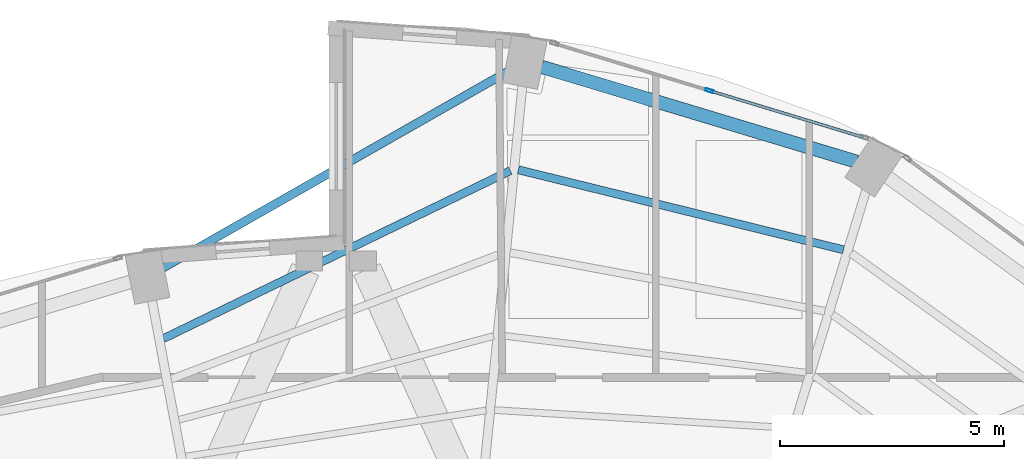
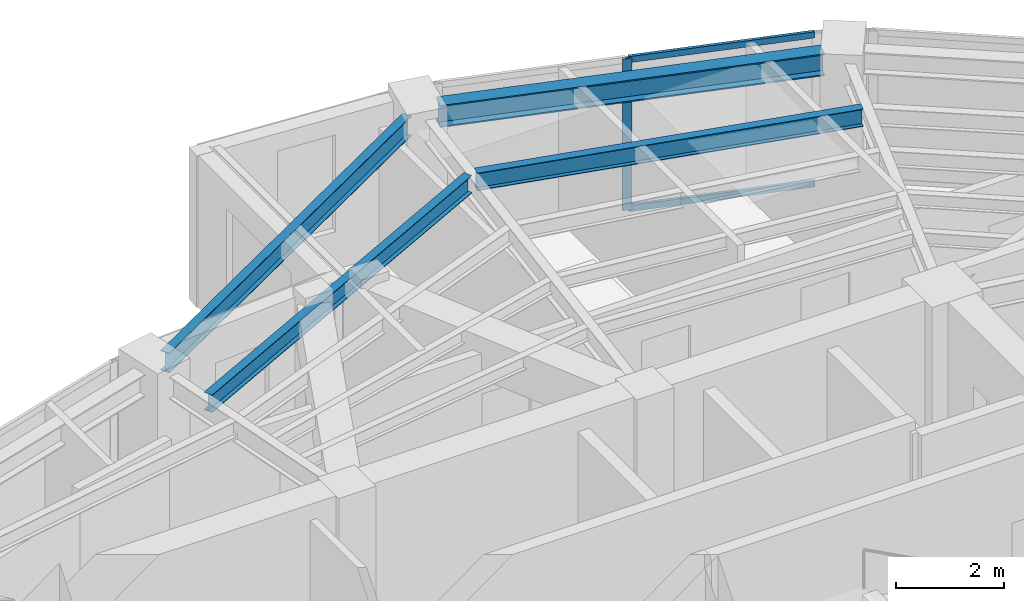
# One storey, part 15 of 22: 4 beams, 3 members, 1 element without a shape of its own.
"""IFC4 building model written with IfcOpenShell, lengths in metres."""

from ifc_helpers import new_model, si_unit, direction, frame, origin, origin_2d, place, context, subcontext, project, spatial, hollow_rectangle, i_section, extrude, material, layer, layer_set, material_profile, profile_set, type_object, element, aggregate, save


model = new_model("IFC4")

# Units and contexts
model_context = context("Model", 3, precision=1e-05, world=origin(), true_north=direction((0.0, 1.0)))
body_context = subcontext(model_context, "Body", "Model", "MODEL_VIEW")
ifc_project = project(units=[si_unit("LENGTHUNIT", "METRE"), si_unit("AREAUNIT", "SQUARE_METRE"), si_unit("VOLUMEUNIT", "CUBIC_METRE"), si_unit("PLANEANGLEUNIT", "RADIAN"), si_unit("MASSUNIT", "GRAM", prefix="KILO")], contexts=[model_context])

# Site, building, storey
site_placement = place(None, origin())
site = spatial("IfcSite", under=ifc_project, at=site_placement, CompositionType="ELEMENT")
building_placement = place(site_placement, origin())
building = spatial("IfcBuilding", under=site, at=building_placement, Name="Lazwardi Medical Tower", CompositionType="ELEMENT")
storey_placement = place(building_placement, frame((0.0, 0.0, 224.01611328125)))
storey = spatial("IfcBuildingStorey", under=building, at=storey_placement, Name="L58", CompositionType="ELEMENT", Elevation=224.01611328125)

# Beams
ifc_material_1 = material(Name="Steel S355", Category="steel")
ifc_material_profile_1 = material_profile(ifc_material_1, i_section(OverallWidth=0.300048828125, OverallDepth=0.5, WebThickness=0.014404296875, FlangeThickness=0.028076171875, at=origin_2d()), Name="HEB 500")
ifc_profile_set_1 = profile_set([ifc_material_profile_1], Name="Steel S355")
beam_type_1 = type_object("IfcBeamType", Name="BM-RB-Z4", PredefinedType="BEAM", material=ifc_profile_set_1)
beam_1_placement = place(storey_placement, frame((47.626953125, 43.56640625, 3.197998046875), z_axis=(-0.957544311906, 0.288286126506, 0.0), x_axis=(-0.288286126506, -0.957544311906, 0.0)))
element("IfcBeam", 1, at=beam_1_placement, inside=storey, type_object=beam_type_1, Name="Ring beam RB-05 B07 L58", PredefinedType="BEAM", context=body_context, shape_type="SweptSolid", body=[
    extrude(i_section(OverallWidth=0.300048828125, OverallDepth=0.5, WebThickness=0.014404296875, FlangeThickness=0.028076171875, at=origin_2d()), origin(), (0.0, 0.0, 1.0), 7.3515625),
])
ifc_material_profile_2 = material_profile(ifc_material_1, i_section(OverallWidth=0.179931640625, OverallDepth=0.39990234375, WebThickness=0.008544921875, FlangeThickness=0.013427734375, at=origin_2d()), Name="IPE 400")
ifc_profile_set_2 = profile_set([ifc_material_profile_2], Name="Steel S355")
beam_type_2 = type_object("IfcBeamType", Name="BM-SJ-01", PredefinedType="JOIST", material=ifc_profile_set_2)
beam_2_placement = place(storey_placement, frame((47.334228515625, 41.59912109375, 3.247802734375), z_axis=(-0.971041669317, 0.238910184904, 0.0), x_axis=(-0.238910184904, -0.971041669317, 0.0)))
element("IfcBeam", 2, at=beam_2_placement, inside=storey, type_object=beam_type_2, Name="Secondary joist SJ-01 R1 B07 L58", PredefinedType="JOIST", context=body_context, shape_type="SweptSolid", body=[
    extrude(i_section(OverallWidth=0.179931640625, OverallDepth=0.39990234375, WebThickness=0.008544921875, FlangeThickness=0.013427734375, at=origin_2d()), origin(), (0.0, 0.0, 1.0), 7.482421875),
])
beam_3_placement = place(storey_placement, frame((39.89111328125, 43.367919921875, 3.247802734375), z_axis=(-0.900068885459, -0.435747635024, 0.0), x_axis=(0.435747635024, -0.900068885459, 0.0)))
element("IfcBeam", 3, at=beam_3_placement, inside=storey, type_object=beam_type_2, Name="Secondary joist SJ-01 R1 B08 L58", PredefinedType="JOIST", context=body_context, shape_type="SweptSolid", body=[
    extrude(i_section(OverallWidth=0.179931640625, OverallDepth=0.39990234375, WebThickness=0.008544921875, FlangeThickness=0.013427734375, at=origin_2d()), origin(), (0.0, 0.0, 1.0), 8.612548828125),
])
ifc_material_profile_3 = material_profile(ifc_material_1, i_section(OverallWidth=0.18994140625, OverallDepth=0.449951171875, WebThickness=0.009521484375, FlangeThickness=0.0146484375, at=origin_2d()), Name="IPE 450")
ifc_profile_set_3 = profile_set([ifc_material_profile_3], Name="Steel S355")
beam_type_3 = type_object("IfcBeamType", Name="BM-SP-01", PredefinedType="SPANDREL", material=ifc_profile_set_3)
beam_4_placement = place(storey_placement, frame((39.875, 45.605224609375, 3.222900390625), z_axis=(-0.868954808466, -0.494891443494, 0.0), x_axis=(0.494891443494, -0.868954808466, 0.0)))
element("IfcBeam", 4, at=beam_4_placement, inside=storey, type_object=beam_type_3, Name="Spandrel beam SP-01 B08 L58", PredefinedType="SPANDREL", context=body_context, shape_type="SweptSolid", body=[
    extrude(i_section(OverallWidth=0.18994140625, OverallDepth=0.449951171875, WebThickness=0.009521484375, FlangeThickness=0.0146484375, at=origin_2d()), origin(), (0.0, 0.0, 1.0), 8.918701171875),
])

# Curtain wall, members
ifc_material_2 = material(Name="Anodised bronze aluminium and solar control glazing", Category="aluminium")
ifc_layer = layer(ifc_material_2, 0.18994140625)
ifc_layer_set = layer_set([ifc_layer], Name="Anodised bronze aluminium and solar control glazing")
curtain_wall_type = type_object("IfcCurtainWallType", Name="CW-SYS-04", PredefinedType="NOTDEFINED", material=ifc_layer_set)
curtain_wall_placement = place(storey_placement, origin())
curtain_wall = element("IfcCurtainWall", 5, at=curtain_wall_placement, inside=storey, type_object=curtain_wall_type, Name="L58 Unitised bronze curtain wall CW-04", PredefinedType="NOTDEFINED")
ifc_material_3 = material(Name="Anodised bronze aluminium", Category="aluminium")
ifc_material_profile_4 = material_profile(ifc_material_3, hollow_rectangle(XDim=0.06494140625, YDim=0.179931640625, WallThickness=0.00390625, at=origin_2d()), Name="ALU-MULLION 180x65x4")
ifc_profile_set_4 = profile_set([ifc_material_profile_4], Name="Anodised bronze aluminium")
member_type_1 = type_object("IfcMemberType", Name="CW-MUL-03", PredefinedType="MULLION", material=ifc_profile_set_4)
member_1_placement = place(storey_placement, frame((44.33642578125, 45.1552734375, 0.0), z_axis=(0.0, 0.0, 1.0), x_axis=(-0.290581889515, -0.956850126972, 0.0)))
member_1 = element("IfcMember", 6, at=member_1_placement, type_object=member_type_1, Name="CW-04 mullion 2", PredefinedType="MULLION", context=body_context, shape_type="SweptSolid", body=[
    extrude(hollow_rectangle(XDim=0.06494140625, YDim=0.179931640625, WallThickness=0.00390625, at=origin_2d()), origin(), (0.0, 0.0, 1.0), 3.447998046875),
])
ifc_material_profile_5 = material_profile(ifc_material_3, hollow_rectangle(XDim=0.06494140625, YDim=0.139892578125, WallThickness=0.00341796875, at=origin_2d()), Name="ALU-TRANSOM 140x65x3.5")
ifc_profile_set_5 = profile_set([ifc_material_profile_5], Name="Anodised bronze aluminium")
member_type_2 = type_object("IfcMemberType", Name="CW-TRN-03", PredefinedType="USERDEFINED", material=ifc_profile_set_5)
member_2_placement = place(storey_placement, frame((47.7685546875, 44.113037109375, 0.032470703125), z_axis=(-0.956862505902, 0.290541124109, 0.0), x_axis=(-0.290541124109, -0.956862505902, 0.0)))
member_2 = element("IfcMember", 7, at=member_2_placement, type_object=member_type_2, Name="CW-04 transom 1.1", ObjectType="TRANSOM", PredefinedType="USERDEFINED", context=body_context, shape_type="SweptSolid", body=[
    extrude(hollow_rectangle(XDim=0.06494140625, YDim=0.139892578125, WallThickness=0.00341796875, at=origin_2d()), origin(), (0.0, 0.0, 1.0), 3.554443359375),
])
member_3_placement = place(storey_placement, frame((47.7685546875, 44.113037109375, 3.415283203125), z_axis=(-0.956862505902, 0.290541124109, 0.0), x_axis=(-0.290541124109, -0.956862505902, 0.0)))
member_3 = element("IfcMember", 8, at=member_3_placement, type_object=member_type_2, Name="CW-04 transom 1.2", ObjectType="TRANSOM", PredefinedType="USERDEFINED", context=body_context, shape_type="SweptSolid", body=[
    extrude(hollow_rectangle(XDim=0.06494140625, YDim=0.139892578125, WallThickness=0.00341796875, at=origin_2d()), origin(), (0.0, 0.0, 1.0), 3.554443359375),
])
aggregate(curtain_wall, [member_1, member_2, member_3])

save(model, "model.ifc")
